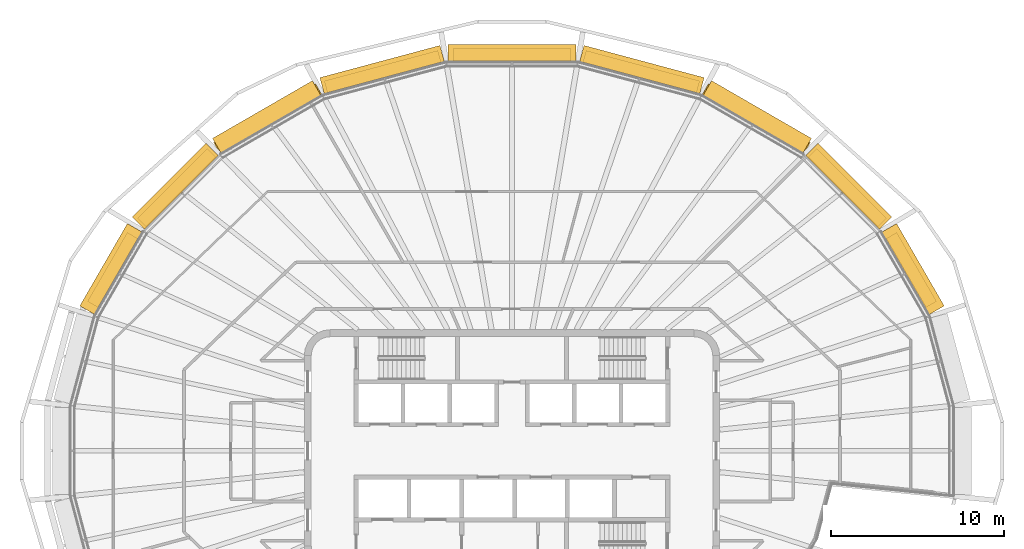
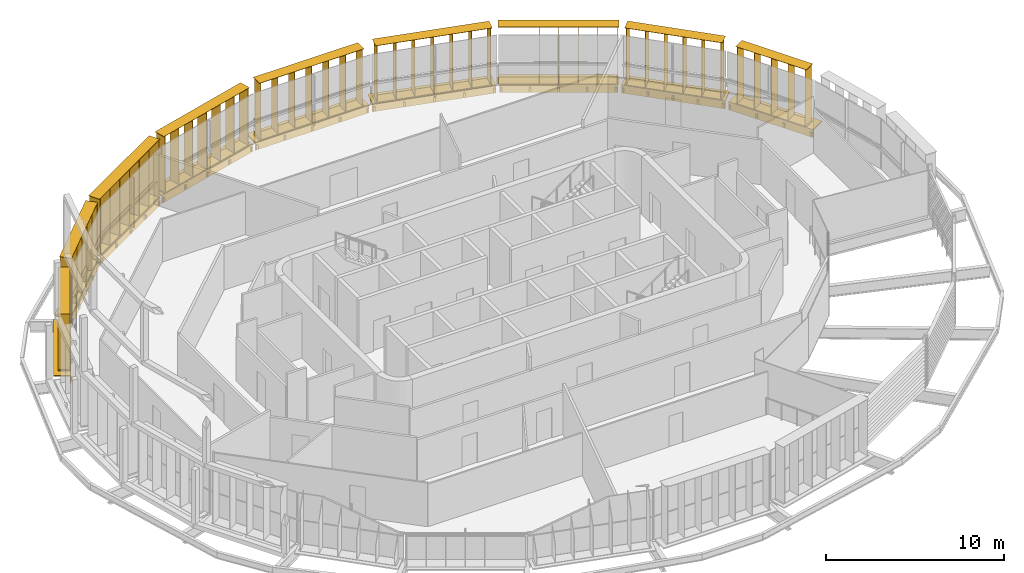
# One storey, part 18 of 18: 18 shading devices.
"""IFC4 building model written with IfcOpenShell, lengths in metres."""

from ifc_helpers import new_model, si_unit, direction, frame, origin, origin_2d, place, context, subcontext, project, spatial, rectangle, extrude, material, type_object, element, save


model = new_model("IFC4")

# Units and contexts
model_context = context("Model", 3, precision=1e-05, world=origin(), true_north=direction((0.0, 1.0)))
body_context = subcontext(model_context, "Body", "Model", "MODEL_VIEW")
ifc_project = project(units=[si_unit("LENGTHUNIT", "METRE"), si_unit("AREAUNIT", "SQUARE_METRE"), si_unit("VOLUMEUNIT", "CUBIC_METRE"), si_unit("PLANEANGLEUNIT", "RADIAN"), si_unit("MASSUNIT", "GRAM", prefix="KILO")], contexts=[model_context])

# Site, building, storey
site_placement = place(None, origin())
site = spatial("IfcSite", under=ifc_project, at=site_placement, CompositionType="ELEMENT")
building_placement = place(site_placement, origin())
building = spatial("IfcBuilding", under=site, at=building_placement, Name="Sahrelin Media Tower", CompositionType="ELEMENT")
storey_placement = place(building_placement, frame((0.0, 0.0, 312.39990234375)))
storey = spatial("IfcBuildingStorey", under=building, at=storey_placement, Name="L69", CompositionType="ELEMENT", Elevation=312.39990234375)

# Shading devices
ifc_material = material(Name="Champagne anodised aluminium 6063-T6", Category="aluminium")
shading_device_type_1 = type_object("IfcShadingDeviceType", Name="Fin cassette", PredefinedType="USERDEFINED", material=ifc_material)
placement_1 = place(storey_placement, frame((22.709228515625, 10.2431640625, 0.0), z_axis=(0.0, 0.0, 1.0), x_axis=(0.500011000363, -0.866019052629, 0.0)))
element("IfcShadingDevice", 1, at=placement_1, inside=storey, type_object=shading_device_type_1, Name="L69:FIN:L69-02", ObjectType="FIN", PredefinedType="USERDEFINED", context=body_context, shape_type="SweptSolid", body=[
    extrude(rectangle(XDim=4.60009765625, YDim=0.699951171875, at=origin_2d()), frame((0.0, 0.419921875, 0.0)), (0.0, 0.0, 1.0), 0.02001953125),
    extrude(rectangle(XDim=4.60009765625, YDim=0.699951171875, at=origin_2d()), frame((0.0, 0.419921875, 3.89990234375)), (0.0, 0.0, 1.0), 0.02001953125),
    extrude(rectangle(XDim=0.02001953125, YDim=0.699951171875, at=origin_2d()), frame((-2.199951171875, 0.419921875, 0.010009765625), z_axis=(0.0, 0.0, 1.0), x_axis=(1.0, 0.0, 0.0)), (0.0, 0.0, 1.0), 3.89990234375),
    extrude(rectangle(XDim=0.02001953125, YDim=0.699951171875, at=origin_2d()), frame((-1.10009765625, 0.419921875, 0.010009765625), z_axis=(0.0, 0.0, 1.0), x_axis=(1.0, 0.0, 0.0)), (0.0, 0.0, 1.0), 3.89990234375),
    extrude(rectangle(XDim=0.02001953125, YDim=0.699951171875, at=origin_2d()), frame((0.0, 0.419921875, 0.010009765625), z_axis=(0.0, 0.0, 1.0), x_axis=(1.0, 0.0, 0.0)), (0.0, 0.0, 1.0), 3.89990234375),
    extrude(rectangle(XDim=0.02001953125, YDim=0.699951171875, at=origin_2d()), frame((1.10009765625, 0.419921875, 0.010009765625), z_axis=(0.0, 0.0, 1.0), x_axis=(1.0, 0.0, 0.0)), (0.0, 0.0, 1.0), 3.89990234375),
    extrude(rectangle(XDim=0.02001953125, YDim=0.699951171875, at=origin_2d()), frame((2.199951171875, 0.419921875, 0.010009765625), z_axis=(0.0, 0.0, 1.0), x_axis=(1.0, 0.0, 0.0)), (0.0, 0.0, 1.0), 3.89990234375),
])
placement_2 = place(storey_placement, frame((19.08056640625, 14.914306640625, 0.0), z_axis=(0.0, 0.0, 1.0), x_axis=(0.707106781187, -0.707106781187, 0.0)))
element("IfcShadingDevice", 2, at=placement_2, inside=storey, type_object=shading_device_type_1, Name="L69:FIN:L69-03", ObjectType="FIN", PredefinedType="USERDEFINED", context=body_context, shape_type="SweptSolid", body=[
    extrude(rectangle(XDim=5.699951171875, YDim=0.699951171875, at=origin_2d()), frame((0.0, 0.419921875, 0.0)), (0.0, 0.0, 1.0), 0.02001953125),
    extrude(rectangle(XDim=5.699951171875, YDim=0.699951171875, at=origin_2d()), frame((0.0, 0.419921875, 3.89990234375)), (0.0, 0.0, 1.0), 0.02001953125),
    extrude(rectangle(XDim=0.02001953125, YDim=0.699951171875, at=origin_2d()), frame((-2.75, 0.419921875, 0.010009765625), z_axis=(0.0, 0.0, 1.0), x_axis=(1.0, 0.0, 0.0)), (0.0, 0.0, 1.0), 3.89990234375),
    extrude(rectangle(XDim=0.02001953125, YDim=0.699951171875, at=origin_2d()), frame((-1.64990234375, 0.419921875, 0.010009765625), z_axis=(0.0, 0.0, 1.0), x_axis=(1.0, 0.0, 0.0)), (0.0, 0.0, 1.0), 3.89990234375),
    extrude(rectangle(XDim=0.02001953125, YDim=0.699951171875, at=origin_2d()), frame((-0.550048828125, 0.419921875, 0.010009765625), z_axis=(0.0, 0.0, 1.0), x_axis=(1.0, 0.0, 0.0)), (0.0, 0.0, 1.0), 3.89990234375),
    extrude(rectangle(XDim=0.02001953125, YDim=0.699951171875, at=origin_2d()), frame((0.550048828125, 0.419921875, 0.010009765625), z_axis=(0.0, 0.0, 1.0), x_axis=(1.0, 0.0, 0.0)), (0.0, 0.0, 1.0), 3.89990234375),
    extrude(rectangle(XDim=0.02001953125, YDim=0.699951171875, at=origin_2d()), frame((1.64990234375, 0.419921875, 0.010009765625), z_axis=(0.0, 0.0, 1.0), x_axis=(1.0, 0.0, 0.0)), (0.0, 0.0, 1.0), 3.89990234375),
    extrude(rectangle(XDim=0.02001953125, YDim=0.699951171875, at=origin_2d()), frame((2.75, 0.419921875, 0.010009765625), z_axis=(0.0, 0.0, 1.0), x_axis=(1.0, 0.0, 0.0)), (0.0, 0.0, 1.0), 3.89990234375),
])
placement_3 = place(storey_placement, frame((13.904296875, 18.834716796875, 0.0), z_axis=(0.0, 0.0, 1.0), x_axis=(0.866019052629, -0.500011000363, 0.0)))
element("IfcShadingDevice", 3, at=placement_3, inside=storey, type_object=shading_device_type_1, Name="L69:FIN:L69-04", ObjectType="FIN", PredefinedType="USERDEFINED", context=body_context, shape_type="SweptSolid", body=[
    extrude(rectangle(XDim=6.800048828125, YDim=0.699951171875, at=origin_2d()), frame((0.0, 0.419921875, 0.0)), (0.0, 0.0, 1.0), 0.02001953125),
    extrude(rectangle(XDim=6.800048828125, YDim=0.699951171875, at=origin_2d()), frame((0.0, 0.419921875, 3.89990234375)), (0.0, 0.0, 1.0), 0.02001953125),
    extrude(rectangle(XDim=0.02001953125, YDim=0.699951171875, at=origin_2d()), frame((-3.300048828125, 0.419921875, 0.010009765625), z_axis=(0.0, 0.0, 1.0), x_axis=(1.0, 0.0, 0.0)), (0.0, 0.0, 1.0), 3.89990234375),
    extrude(rectangle(XDim=0.02001953125, YDim=0.699951171875, at=origin_2d()), frame((-2.199951171875, 0.419921875, 0.010009765625), z_axis=(0.0, 0.0, 1.0), x_axis=(1.0, 0.0, 0.0)), (0.0, 0.0, 1.0), 3.89990234375),
    extrude(rectangle(XDim=0.02001953125, YDim=0.699951171875, at=origin_2d()), frame((-1.10009765625, 0.419921875, 0.010009765625), z_axis=(0.0, 0.0, 1.0), x_axis=(1.0, 0.0, 0.0)), (0.0, 0.0, 1.0), 3.89990234375),
    extrude(rectangle(XDim=0.02001953125, YDim=0.699951171875, at=origin_2d()), frame((0.0, 0.419921875, 0.010009765625), z_axis=(0.0, 0.0, 1.0), x_axis=(1.0, 0.0, 0.0)), (0.0, 0.0, 1.0), 3.89990234375),
    extrude(rectangle(XDim=0.02001953125, YDim=0.699951171875, at=origin_2d()), frame((1.10009765625, 0.419921875, 0.010009765625), z_axis=(0.0, 0.0, 1.0), x_axis=(1.0, 0.0, 0.0)), (0.0, 0.0, 1.0), 3.89990234375),
    extrude(rectangle(XDim=0.02001953125, YDim=0.699951171875, at=origin_2d()), frame((2.199951171875, 0.419921875, 0.010009765625), z_axis=(0.0, 0.0, 1.0), x_axis=(1.0, 0.0, 0.0)), (0.0, 0.0, 1.0), 3.89990234375),
    extrude(rectangle(XDim=0.02001953125, YDim=0.699951171875, at=origin_2d()), frame((3.300048828125, 0.419921875, 0.010009765625), z_axis=(0.0, 0.0, 1.0), x_axis=(1.0, 0.0, 0.0)), (0.0, 0.0, 1.0), 3.89990234375),
])
placement_4 = place(storey_placement, frame((7.365234375, 21.506103515625, 0.0), z_axis=(0.0, 0.0, 1.0), x_axis=(0.965928857556, -0.258807731996, 0.0)))
element("IfcShadingDevice", 4, at=placement_4, inside=storey, type_object=shading_device_type_1, Name="L69:FIN:L69-05", ObjectType="FIN", PredefinedType="USERDEFINED", context=body_context, shape_type="SweptSolid", body=[
    extrude(rectangle(XDim=6.800048828125, YDim=0.699951171875, at=origin_2d()), frame((0.0, 0.419921875, 0.0)), (0.0, 0.0, 1.0), 0.02001953125),
    extrude(rectangle(XDim=6.800048828125, YDim=0.699951171875, at=origin_2d()), frame((0.0, 0.419921875, 3.89990234375)), (0.0, 0.0, 1.0), 0.02001953125),
    extrude(rectangle(XDim=0.02001953125, YDim=0.699951171875, at=origin_2d()), frame((-3.300048828125, 0.419921875, 0.010009765625), z_axis=(0.0, 0.0, 1.0), x_axis=(1.0, 0.0, 0.0)), (0.0, 0.0, 1.0), 3.89990234375),
    extrude(rectangle(XDim=0.02001953125, YDim=0.699951171875, at=origin_2d()), frame((-2.199951171875, 0.419921875, 0.010009765625), z_axis=(0.0, 0.0, 1.0), x_axis=(1.0, 0.0, 0.0)), (0.0, 0.0, 1.0), 3.89990234375),
    extrude(rectangle(XDim=0.02001953125, YDim=0.699951171875, at=origin_2d()), frame((-1.10009765625, 0.419921875, 0.010009765625), z_axis=(0.0, 0.0, 1.0), x_axis=(1.0, 0.0, 0.0)), (0.0, 0.0, 1.0), 3.89990234375),
    extrude(rectangle(XDim=0.02001953125, YDim=0.699951171875, at=origin_2d()), frame((0.0, 0.419921875, 0.010009765625), z_axis=(0.0, 0.0, 1.0), x_axis=(1.0, 0.0, 0.0)), (0.0, 0.0, 1.0), 3.89990234375),
    extrude(rectangle(XDim=0.02001953125, YDim=0.699951171875, at=origin_2d()), frame((1.10009765625, 0.419921875, 0.010009765625), z_axis=(0.0, 0.0, 1.0), x_axis=(1.0, 0.0, 0.0)), (0.0, 0.0, 1.0), 3.89990234375),
    extrude(rectangle(XDim=0.02001953125, YDim=0.699951171875, at=origin_2d()), frame((2.199951171875, 0.419921875, 0.010009765625), z_axis=(0.0, 0.0, 1.0), x_axis=(1.0, 0.0, 0.0)), (0.0, 0.0, 1.0), 3.89990234375),
    extrude(rectangle(XDim=0.02001953125, YDim=0.699951171875, at=origin_2d()), frame((3.300048828125, 0.419921875, 0.010009765625), z_axis=(0.0, 0.0, 1.0), x_axis=(1.0, 0.0, 0.0)), (0.0, 0.0, 1.0), 3.89990234375),
])
placement_5 = place(storey_placement, frame((0.0, 22.462158203125, 0.0), z_axis=(0.0, 0.0, 1.0), x_axis=(1.0, 0.0, 0.0)))
element("IfcShadingDevice", 5, at=placement_5, inside=storey, type_object=shading_device_type_1, Name="L69:FIN:L69-06", ObjectType="FIN", PredefinedType="USERDEFINED", context=body_context, shape_type="SweptSolid", body=[
    extrude(rectangle(XDim=6.800048828125, YDim=0.699951171875, at=origin_2d()), frame((0.0, 0.419921875, 0.0)), (0.0, 0.0, 1.0), 0.02001953125),
    extrude(rectangle(XDim=6.800048828125, YDim=0.699951171875, at=origin_2d()), frame((0.0, 0.419921875, 3.89990234375)), (0.0, 0.0, 1.0), 0.02001953125),
    extrude(rectangle(XDim=0.02001953125, YDim=0.699951171875, at=origin_2d()), frame((-3.300048828125, 0.419921875, 0.010009765625), z_axis=(0.0, 0.0, 1.0), x_axis=(1.0, 0.0, 0.0)), (0.0, 0.0, 1.0), 3.89990234375),
    extrude(rectangle(XDim=0.02001953125, YDim=0.699951171875, at=origin_2d()), frame((-2.199951171875, 0.419921875, 0.010009765625), z_axis=(0.0, 0.0, 1.0), x_axis=(1.0, 0.0, 0.0)), (0.0, 0.0, 1.0), 3.89990234375),
    extrude(rectangle(XDim=0.02001953125, YDim=0.699951171875, at=origin_2d()), frame((-1.10009765625, 0.419921875, 0.010009765625), z_axis=(0.0, 0.0, 1.0), x_axis=(1.0, 0.0, 0.0)), (0.0, 0.0, 1.0), 3.89990234375),
    extrude(rectangle(XDim=0.02001953125, YDim=0.699951171875, at=origin_2d()), frame((0.0, 0.419921875, 0.010009765625), z_axis=(0.0, 0.0, 1.0), x_axis=(1.0, 0.0, 0.0)), (0.0, 0.0, 1.0), 3.89990234375),
    extrude(rectangle(XDim=0.02001953125, YDim=0.699951171875, at=origin_2d()), frame((1.10009765625, 0.419921875, 0.010009765625), z_axis=(0.0, 0.0, 1.0), x_axis=(1.0, 0.0, 0.0)), (0.0, 0.0, 1.0), 3.89990234375),
    extrude(rectangle(XDim=0.02001953125, YDim=0.699951171875, at=origin_2d()), frame((2.199951171875, 0.419921875, 0.010009765625), z_axis=(0.0, 0.0, 1.0), x_axis=(1.0, 0.0, 0.0)), (0.0, 0.0, 1.0), 3.89990234375),
    extrude(rectangle(XDim=0.02001953125, YDim=0.699951171875, at=origin_2d()), frame((3.300048828125, 0.419921875, 0.010009765625), z_axis=(0.0, 0.0, 1.0), x_axis=(1.0, 0.0, 0.0)), (0.0, 0.0, 1.0), 3.89990234375),
])
placement_6 = place(storey_placement, frame((-7.364990234375, 21.506103515625, 0.0), z_axis=(0.0, 0.0, 1.0), x_axis=(0.965928857556, 0.258807731996, 0.0)))
element("IfcShadingDevice", 6, at=placement_6, inside=storey, type_object=shading_device_type_1, Name="L69:FIN:L69-07", ObjectType="FIN", PredefinedType="USERDEFINED", context=body_context, shape_type="SweptSolid", body=[
    extrude(rectangle(XDim=6.800048828125, YDim=0.699951171875, at=origin_2d()), frame((0.0, 0.419921875, 0.0)), (0.0, 0.0, 1.0), 0.02001953125),
    extrude(rectangle(XDim=6.800048828125, YDim=0.699951171875, at=origin_2d()), frame((0.0, 0.419921875, 3.89990234375)), (0.0, 0.0, 1.0), 0.02001953125),
    extrude(rectangle(XDim=0.02001953125, YDim=0.699951171875, at=origin_2d()), frame((-3.300048828125, 0.419921875, 0.010009765625), z_axis=(0.0, 0.0, 1.0), x_axis=(1.0, 0.0, 0.0)), (0.0, 0.0, 1.0), 3.89990234375),
    extrude(rectangle(XDim=0.02001953125, YDim=0.699951171875, at=origin_2d()), frame((-2.199951171875, 0.419921875, 0.010009765625), z_axis=(0.0, 0.0, 1.0), x_axis=(1.0, 0.0, 0.0)), (0.0, 0.0, 1.0), 3.89990234375),
    extrude(rectangle(XDim=0.02001953125, YDim=0.699951171875, at=origin_2d()), frame((-1.10009765625, 0.419921875, 0.010009765625), z_axis=(0.0, 0.0, 1.0), x_axis=(1.0, 0.0, 0.0)), (0.0, 0.0, 1.0), 3.89990234375),
    extrude(rectangle(XDim=0.02001953125, YDim=0.699951171875, at=origin_2d()), frame((0.0, 0.419921875, 0.010009765625), z_axis=(0.0, 0.0, 1.0), x_axis=(1.0, 0.0, 0.0)), (0.0, 0.0, 1.0), 3.89990234375),
    extrude(rectangle(XDim=0.02001953125, YDim=0.699951171875, at=origin_2d()), frame((1.10009765625, 0.419921875, 0.010009765625), z_axis=(0.0, 0.0, 1.0), x_axis=(1.0, 0.0, 0.0)), (0.0, 0.0, 1.0), 3.89990234375),
    extrude(rectangle(XDim=0.02001953125, YDim=0.699951171875, at=origin_2d()), frame((2.199951171875, 0.419921875, 0.010009765625), z_axis=(0.0, 0.0, 1.0), x_axis=(1.0, 0.0, 0.0)), (0.0, 0.0, 1.0), 3.89990234375),
    extrude(rectangle(XDim=0.02001953125, YDim=0.699951171875, at=origin_2d()), frame((3.300048828125, 0.419921875, 0.010009765625), z_axis=(0.0, 0.0, 1.0), x_axis=(1.0, 0.0, 0.0)), (0.0, 0.0, 1.0), 3.89990234375),
])
placement_7 = place(storey_placement, frame((-13.904296875, 18.834716796875, 0.0), z_axis=(0.0, 0.0, 1.0), x_axis=(0.866019052629, 0.500011000363, 0.0)))
element("IfcShadingDevice", 7, at=placement_7, inside=storey, type_object=shading_device_type_1, Name="L69:FIN:L69-08", ObjectType="FIN", PredefinedType="USERDEFINED", context=body_context, shape_type="SweptSolid", body=[
    extrude(rectangle(XDim=6.800048828125, YDim=0.699951171875, at=origin_2d()), frame((0.0, 0.419921875, 0.0)), (0.0, 0.0, 1.0), 0.02001953125),
    extrude(rectangle(XDim=6.800048828125, YDim=0.699951171875, at=origin_2d()), frame((0.0, 0.419921875, 3.89990234375)), (0.0, 0.0, 1.0), 0.02001953125),
    extrude(rectangle(XDim=0.02001953125, YDim=0.699951171875, at=origin_2d()), frame((-3.300048828125, 0.419921875, 0.010009765625), z_axis=(0.0, 0.0, 1.0), x_axis=(1.0, 0.0, 0.0)), (0.0, 0.0, 1.0), 3.89990234375),
    extrude(rectangle(XDim=0.02001953125, YDim=0.699951171875, at=origin_2d()), frame((-2.199951171875, 0.419921875, 0.010009765625), z_axis=(0.0, 0.0, 1.0), x_axis=(1.0, 0.0, 0.0)), (0.0, 0.0, 1.0), 3.89990234375),
    extrude(rectangle(XDim=0.02001953125, YDim=0.699951171875, at=origin_2d()), frame((-1.10009765625, 0.419921875, 0.010009765625), z_axis=(0.0, 0.0, 1.0), x_axis=(1.0, 0.0, 0.0)), (0.0, 0.0, 1.0), 3.89990234375),
    extrude(rectangle(XDim=0.02001953125, YDim=0.699951171875, at=origin_2d()), frame((0.0, 0.419921875, 0.010009765625), z_axis=(0.0, 0.0, 1.0), x_axis=(1.0, 0.0, 0.0)), (0.0, 0.0, 1.0), 3.89990234375),
    extrude(rectangle(XDim=0.02001953125, YDim=0.699951171875, at=origin_2d()), frame((1.10009765625, 0.419921875, 0.010009765625), z_axis=(0.0, 0.0, 1.0), x_axis=(1.0, 0.0, 0.0)), (0.0, 0.0, 1.0), 3.89990234375),
    extrude(rectangle(XDim=0.02001953125, YDim=0.699951171875, at=origin_2d()), frame((2.199951171875, 0.419921875, 0.010009765625), z_axis=(0.0, 0.0, 1.0), x_axis=(1.0, 0.0, 0.0)), (0.0, 0.0, 1.0), 3.89990234375),
    extrude(rectangle(XDim=0.02001953125, YDim=0.699951171875, at=origin_2d()), frame((3.300048828125, 0.419921875, 0.010009765625), z_axis=(0.0, 0.0, 1.0), x_axis=(1.0, 0.0, 0.0)), (0.0, 0.0, 1.0), 3.89990234375),
])
placement_8 = place(storey_placement, frame((-19.08056640625, 14.914306640625, 0.0), z_axis=(0.0, 0.0, 1.0), x_axis=(0.707106781187, 0.707106781187, 0.0)))
element("IfcShadingDevice", 8, at=placement_8, inside=storey, type_object=shading_device_type_1, Name="L69:FIN:L69-09", ObjectType="FIN", PredefinedType="USERDEFINED", context=body_context, shape_type="SweptSolid", body=[
    extrude(rectangle(XDim=5.699951171875, YDim=0.699951171875, at=origin_2d()), frame((0.0, 0.419921875, 0.0)), (0.0, 0.0, 1.0), 0.02001953125),
    extrude(rectangle(XDim=5.699951171875, YDim=0.699951171875, at=origin_2d()), frame((0.0, 0.419921875, 3.89990234375)), (0.0, 0.0, 1.0), 0.02001953125),
    extrude(rectangle(XDim=0.02001953125, YDim=0.699951171875, at=origin_2d()), frame((-2.75, 0.419921875, 0.010009765625), z_axis=(0.0, 0.0, 1.0), x_axis=(1.0, 0.0, 0.0)), (0.0, 0.0, 1.0), 3.89990234375),
    extrude(rectangle(XDim=0.02001953125, YDim=0.699951171875, at=origin_2d()), frame((-1.64990234375, 0.419921875, 0.010009765625), z_axis=(0.0, 0.0, 1.0), x_axis=(1.0, 0.0, 0.0)), (0.0, 0.0, 1.0), 3.89990234375),
    extrude(rectangle(XDim=0.02001953125, YDim=0.699951171875, at=origin_2d()), frame((-0.550048828125, 0.419921875, 0.010009765625), z_axis=(0.0, 0.0, 1.0), x_axis=(1.0, 0.0, 0.0)), (0.0, 0.0, 1.0), 3.89990234375),
    extrude(rectangle(XDim=0.02001953125, YDim=0.699951171875, at=origin_2d()), frame((0.550048828125, 0.419921875, 0.010009765625), z_axis=(0.0, 0.0, 1.0), x_axis=(1.0, 0.0, 0.0)), (0.0, 0.0, 1.0), 3.89990234375),
    extrude(rectangle(XDim=0.02001953125, YDim=0.699951171875, at=origin_2d()), frame((1.64990234375, 0.419921875, 0.010009765625), z_axis=(0.0, 0.0, 1.0), x_axis=(1.0, 0.0, 0.0)), (0.0, 0.0, 1.0), 3.89990234375),
    extrude(rectangle(XDim=0.02001953125, YDim=0.699951171875, at=origin_2d()), frame((2.75, 0.419921875, 0.010009765625), z_axis=(0.0, 0.0, 1.0), x_axis=(1.0, 0.0, 0.0)), (0.0, 0.0, 1.0), 3.89990234375),
])
placement_9 = place(storey_placement, frame((-22.709228515625, 10.2431640625, 0.0), z_axis=(0.0, 0.0, 1.0), x_axis=(0.500011000363, 0.866019052629, 0.0)))
element("IfcShadingDevice", 9, at=placement_9, inside=storey, type_object=shading_device_type_1, Name="L69:FIN:L69-10", ObjectType="FIN", PredefinedType="USERDEFINED", context=body_context, shape_type="SweptSolid", body=[
    extrude(rectangle(XDim=4.60009765625, YDim=0.699951171875, at=origin_2d()), frame((0.0, 0.419921875, 0.0)), (0.0, 0.0, 1.0), 0.02001953125),
    extrude(rectangle(XDim=4.60009765625, YDim=0.699951171875, at=origin_2d()), frame((0.0, 0.419921875, 3.89990234375)), (0.0, 0.0, 1.0), 0.02001953125),
    extrude(rectangle(XDim=0.02001953125, YDim=0.699951171875, at=origin_2d()), frame((-2.199951171875, 0.419921875, 0.010009765625), z_axis=(0.0, 0.0, 1.0), x_axis=(1.0, 0.0, 0.0)), (0.0, 0.0, 1.0), 3.89990234375),
    extrude(rectangle(XDim=0.02001953125, YDim=0.699951171875, at=origin_2d()), frame((-1.10009765625, 0.419921875, 0.010009765625), z_axis=(0.0, 0.0, 1.0), x_axis=(1.0, 0.0, 0.0)), (0.0, 0.0, 1.0), 3.89990234375),
    extrude(rectangle(XDim=0.02001953125, YDim=0.699951171875, at=origin_2d()), frame((0.0, 0.419921875, 0.010009765625), z_axis=(0.0, 0.0, 1.0), x_axis=(1.0, 0.0, 0.0)), (0.0, 0.0, 1.0), 3.89990234375),
    extrude(rectangle(XDim=0.02001953125, YDim=0.699951171875, at=origin_2d()), frame((1.10009765625, 0.419921875, 0.010009765625), z_axis=(0.0, 0.0, 1.0), x_axis=(1.0, 0.0, 0.0)), (0.0, 0.0, 1.0), 3.89990234375),
    extrude(rectangle(XDim=0.02001953125, YDim=0.699951171875, at=origin_2d()), frame((2.199951171875, 0.419921875, 0.010009765625), z_axis=(0.0, 0.0, 1.0), x_axis=(1.0, 0.0, 0.0)), (0.0, 0.0, 1.0), 3.89990234375),
])
shading_device_type_2 = type_object("IfcShadingDeviceType", Name="Sunshade band", PredefinedType="USERDEFINED", material=ifc_material)
element("IfcShadingDevice", 10, at=placement_1, inside=storey, type_object=shading_device_type_2, Name="L69:SUN:L69-02", ObjectType="SUNSHADE", PredefinedType="USERDEFINED", context=body_context, shape_type="SweptSolid", body=[
    extrude(rectangle(XDim=5.49560546875, YDim=0.050048828125, at=origin_2d()), frame((0.0, 0.044921875, -0.55126953125)), (0.0, 0.0, 1.0), 0.471435546875),
    extrude(rectangle(XDim=5.49560546875, YDim=1.0, at=origin_2d()), frame((0.0, 0.52001953125, -0.080078125)), (0.0, 0.0, 1.0), 0.080078125),
    extrude(rectangle(XDim=0.10009765625, YDim=0.074951171875, at=origin_2d()), frame((-2.647705078125, -0.017578125, -0.47021484375)), (0.0, 0.0, 1.0), 0.300048828125),
    extrude(rectangle(XDim=0.10009765625, YDim=0.074951171875, at=origin_2d()), frame((-0.882568359375, -0.017578125, -0.47021484375)), (0.0, 0.0, 1.0), 0.300048828125),
    extrude(rectangle(XDim=0.10009765625, YDim=0.074951171875, at=origin_2d()), frame((0.882568359375, -0.017578125, -0.47021484375)), (0.0, 0.0, 1.0), 0.300048828125),
    extrude(rectangle(XDim=0.10009765625, YDim=0.074951171875, at=origin_2d()), frame((2.647705078125, -0.017578125, -0.47021484375)), (0.0, 0.0, 1.0), 0.300048828125),
])
element("IfcShadingDevice", 11, at=placement_2, inside=storey, type_object=shading_device_type_2, Name="L69:SUN:L69-03", ObjectType="SUNSHADE", PredefinedType="USERDEFINED", context=body_context, shape_type="SweptSolid", body=[
    extrude(rectangle(XDim=6.035888671875, YDim=0.050048828125, at=origin_2d()), frame((0.0, 0.044921875, -0.55126953125)), (0.0, 0.0, 1.0), 0.471435546875),
    extrude(rectangle(XDim=6.035888671875, YDim=1.0, at=origin_2d()), frame((0.0, 0.52001953125, -0.080078125)), (0.0, 0.0, 1.0), 0.080078125),
    extrude(rectangle(XDim=0.10009765625, YDim=0.074951171875, at=origin_2d()), frame((-2.91796875, -0.017578125, -0.47021484375)), (0.0, 0.0, 1.0), 0.300048828125),
    extrude(rectangle(XDim=0.10009765625, YDim=0.074951171875, at=origin_2d()), frame((-1.458984375, -0.017578125, -0.47021484375)), (0.0, 0.0, 1.0), 0.300048828125),
    extrude(rectangle(XDim=0.10009765625, YDim=0.074951171875, at=origin_2d()), frame((0.0, -0.017578125, -0.47021484375)), (0.0, 0.0, 1.0), 0.300048828125),
    extrude(rectangle(XDim=0.10009765625, YDim=0.074951171875, at=origin_2d()), frame((1.458984375, -0.017578125, -0.47021484375)), (0.0, 0.0, 1.0), 0.300048828125),
    extrude(rectangle(XDim=0.10009765625, YDim=0.074951171875, at=origin_2d()), frame((2.91796875, -0.017578125, -0.47021484375)), (0.0, 0.0, 1.0), 0.300048828125),
])
element("IfcShadingDevice", 12, at=placement_3, inside=storey, type_object=shading_device_type_2, Name="L69:SUN:L69-04", ObjectType="SUNSHADE", PredefinedType="USERDEFINED", context=body_context, shape_type="SweptSolid", body=[
    extrude(rectangle(XDim=6.66259765625, YDim=0.050048828125, at=origin_2d()), frame((0.0, 0.044921875, -0.55126953125)), (0.0, 0.0, 1.0), 0.471435546875),
    extrude(rectangle(XDim=6.66259765625, YDim=1.0, at=origin_2d()), frame((0.0, 0.52001953125, -0.080078125)), (0.0, 0.0, 1.0), 0.080078125),
    extrude(rectangle(XDim=0.10009765625, YDim=0.074951171875, at=origin_2d()), frame((-3.231201171875, -0.017578125, -0.47021484375)), (0.0, 0.0, 1.0), 0.300048828125),
    extrude(rectangle(XDim=0.10009765625, YDim=0.074951171875, at=origin_2d()), frame((-1.615478515625, -0.017578125, -0.47021484375)), (0.0, 0.0, 1.0), 0.300048828125),
    extrude(rectangle(XDim=0.10009765625, YDim=0.074951171875, at=origin_2d()), frame((0.0, -0.017578125, -0.47021484375)), (0.0, 0.0, 1.0), 0.300048828125),
    extrude(rectangle(XDim=0.10009765625, YDim=0.074951171875, at=origin_2d()), frame((1.615478515625, -0.017578125, -0.47021484375)), (0.0, 0.0, 1.0), 0.300048828125),
    extrude(rectangle(XDim=0.10009765625, YDim=0.074951171875, at=origin_2d()), frame((3.231201171875, -0.017578125, -0.47021484375)), (0.0, 0.0, 1.0), 0.300048828125),
])
element("IfcShadingDevice", 13, at=placement_4, inside=storey, type_object=shading_device_type_2, Name="L69:SUN:L69-05", ObjectType="SUNSHADE", PredefinedType="USERDEFINED", context=body_context, shape_type="SweptSolid", body=[
    extrude(rectangle(XDim=7.18701171875, YDim=0.050048828125, at=origin_2d()), frame((0.0, 0.044921875, -0.55126953125)), (0.0, 0.0, 1.0), 0.471435546875),
    extrude(rectangle(XDim=7.18701171875, YDim=1.0, at=origin_2d()), frame((0.0, 0.52001953125, -0.080078125)), (0.0, 0.0, 1.0), 0.080078125),
    extrude(rectangle(XDim=0.10009765625, YDim=0.074951171875, at=origin_2d()), frame((-3.493408203125, -0.017578125, -0.47021484375)), (0.0, 0.0, 1.0), 0.300048828125),
    extrude(rectangle(XDim=0.10009765625, YDim=0.074951171875, at=origin_2d()), frame((-1.746826171875, -0.017578125, -0.47021484375)), (0.0, 0.0, 1.0), 0.300048828125),
    extrude(rectangle(XDim=0.10009765625, YDim=0.074951171875, at=origin_2d()), frame((0.0, -0.017578125, -0.47021484375)), (0.0, 0.0, 1.0), 0.300048828125),
    extrude(rectangle(XDim=0.10009765625, YDim=0.074951171875, at=origin_2d()), frame((1.746826171875, -0.017578125, -0.47021484375)), (0.0, 0.0, 1.0), 0.300048828125),
    extrude(rectangle(XDim=0.10009765625, YDim=0.074951171875, at=origin_2d()), frame((3.493408203125, -0.017578125, -0.47021484375)), (0.0, 0.0, 1.0), 0.300048828125),
])
element("IfcShadingDevice", 14, at=placement_5, inside=storey, type_object=shading_device_type_2, Name="L69:SUN:L69-06", ObjectType="SUNSHADE", PredefinedType="USERDEFINED", context=body_context, shape_type="SweptSolid", body=[
    extrude(rectangle(XDim=7.39501953125, YDim=0.050048828125, at=origin_2d()), frame((0.0, 0.044921875, -0.55126953125)), (0.0, 0.0, 1.0), 0.471435546875),
    extrude(rectangle(XDim=7.39501953125, YDim=1.0, at=origin_2d()), frame((0.0, 0.52001953125, -0.080078125)), (0.0, 0.0, 1.0), 0.080078125),
    extrude(rectangle(XDim=0.10009765625, YDim=0.074951171875, at=origin_2d()), frame((-3.597412109375, -0.017578125, -0.47021484375)), (0.0, 0.0, 1.0), 0.300048828125),
    extrude(rectangle(XDim=0.10009765625, YDim=0.074951171875, at=origin_2d()), frame((-1.798828125, -0.017578125, -0.47021484375)), (0.0, 0.0, 1.0), 0.300048828125),
    extrude(rectangle(XDim=0.10009765625, YDim=0.074951171875, at=origin_2d()), frame((0.0, -0.017578125, -0.47021484375)), (0.0, 0.0, 1.0), 0.300048828125),
    extrude(rectangle(XDim=0.10009765625, YDim=0.074951171875, at=origin_2d()), frame((1.798828125, -0.017578125, -0.47021484375)), (0.0, 0.0, 1.0), 0.300048828125),
    extrude(rectangle(XDim=0.10009765625, YDim=0.074951171875, at=origin_2d()), frame((3.597412109375, -0.017578125, -0.47021484375)), (0.0, 0.0, 1.0), 0.300048828125),
])
element("IfcShadingDevice", 15, at=placement_6, inside=storey, type_object=shading_device_type_2, Name="L69:SUN:L69-07", ObjectType="SUNSHADE", PredefinedType="USERDEFINED", context=body_context, shape_type="SweptSolid", body=[
    extrude(rectangle(XDim=7.18701171875, YDim=0.050048828125, at=origin_2d()), frame((0.0, 0.044921875, -0.55126953125)), (0.0, 0.0, 1.0), 0.471435546875),
    extrude(rectangle(XDim=7.18701171875, YDim=1.0, at=origin_2d()), frame((0.0, 0.52001953125, -0.080078125)), (0.0, 0.0, 1.0), 0.080078125),
    extrude(rectangle(XDim=0.10009765625, YDim=0.074951171875, at=origin_2d()), frame((-3.493408203125, -0.017578125, -0.47021484375)), (0.0, 0.0, 1.0), 0.300048828125),
    extrude(rectangle(XDim=0.10009765625, YDim=0.074951171875, at=origin_2d()), frame((-1.746826171875, -0.017578125, -0.47021484375)), (0.0, 0.0, 1.0), 0.300048828125),
    extrude(rectangle(XDim=0.10009765625, YDim=0.074951171875, at=origin_2d()), frame((0.0, -0.017578125, -0.47021484375)), (0.0, 0.0, 1.0), 0.300048828125),
    extrude(rectangle(XDim=0.10009765625, YDim=0.074951171875, at=origin_2d()), frame((1.746826171875, -0.017578125, -0.47021484375)), (0.0, 0.0, 1.0), 0.300048828125),
    extrude(rectangle(XDim=0.10009765625, YDim=0.074951171875, at=origin_2d()), frame((3.493408203125, -0.017578125, -0.47021484375)), (0.0, 0.0, 1.0), 0.300048828125),
])
element("IfcShadingDevice", 16, at=placement_7, inside=storey, type_object=shading_device_type_2, Name="L69:SUN:L69-08", ObjectType="SUNSHADE", PredefinedType="USERDEFINED", context=body_context, shape_type="SweptSolid", body=[
    extrude(rectangle(XDim=6.66259765625, YDim=0.050048828125, at=origin_2d()), frame((0.0, 0.044921875, -0.55126953125)), (0.0, 0.0, 1.0), 0.471435546875),
    extrude(rectangle(XDim=6.66259765625, YDim=1.0, at=origin_2d()), frame((0.0, 0.52001953125, -0.080078125)), (0.0, 0.0, 1.0), 0.080078125),
    extrude(rectangle(XDim=0.10009765625, YDim=0.074951171875, at=origin_2d()), frame((-3.231201171875, -0.017578125, -0.47021484375)), (0.0, 0.0, 1.0), 0.300048828125),
    extrude(rectangle(XDim=0.10009765625, YDim=0.074951171875, at=origin_2d()), frame((-1.615478515625, -0.017578125, -0.47021484375)), (0.0, 0.0, 1.0), 0.300048828125),
    extrude(rectangle(XDim=0.10009765625, YDim=0.074951171875, at=origin_2d()), frame((0.0, -0.017578125, -0.47021484375)), (0.0, 0.0, 1.0), 0.300048828125),
    extrude(rectangle(XDim=0.10009765625, YDim=0.074951171875, at=origin_2d()), frame((1.615478515625, -0.017578125, -0.47021484375)), (0.0, 0.0, 1.0), 0.300048828125),
    extrude(rectangle(XDim=0.10009765625, YDim=0.074951171875, at=origin_2d()), frame((3.231201171875, -0.017578125, -0.47021484375)), (0.0, 0.0, 1.0), 0.300048828125),
])
element("IfcShadingDevice", 17, at=placement_8, inside=storey, type_object=shading_device_type_2, Name="L69:SUN:L69-09", ObjectType="SUNSHADE", PredefinedType="USERDEFINED", context=body_context, shape_type="SweptSolid", body=[
    extrude(rectangle(XDim=6.035888671875, YDim=0.050048828125, at=origin_2d()), frame((0.0, 0.044921875, -0.55126953125)), (0.0, 0.0, 1.0), 0.471435546875),
    extrude(rectangle(XDim=6.035888671875, YDim=1.0, at=origin_2d()), frame((0.0, 0.52001953125, -0.080078125)), (0.0, 0.0, 1.0), 0.080078125),
    extrude(rectangle(XDim=0.10009765625, YDim=0.074951171875, at=origin_2d()), frame((-2.91796875, -0.017578125, -0.47021484375)), (0.0, 0.0, 1.0), 0.300048828125),
    extrude(rectangle(XDim=0.10009765625, YDim=0.074951171875, at=origin_2d()), frame((-1.458984375, -0.017578125, -0.47021484375)), (0.0, 0.0, 1.0), 0.300048828125),
    extrude(rectangle(XDim=0.10009765625, YDim=0.074951171875, at=origin_2d()), frame((0.0, -0.017578125, -0.47021484375)), (0.0, 0.0, 1.0), 0.300048828125),
    extrude(rectangle(XDim=0.10009765625, YDim=0.074951171875, at=origin_2d()), frame((1.458984375, -0.017578125, -0.47021484375)), (0.0, 0.0, 1.0), 0.300048828125),
    extrude(rectangle(XDim=0.10009765625, YDim=0.074951171875, at=origin_2d()), frame((2.91796875, -0.017578125, -0.47021484375)), (0.0, 0.0, 1.0), 0.300048828125),
])
element("IfcShadingDevice", 18, at=placement_9, inside=storey, type_object=shading_device_type_2, Name="L69:SUN:L69-10", ObjectType="SUNSHADE", PredefinedType="USERDEFINED", context=body_context, shape_type="SweptSolid", body=[
    extrude(rectangle(XDim=5.49560546875, YDim=0.050048828125, at=origin_2d()), frame((0.0, 0.044921875, -0.55126953125)), (0.0, 0.0, 1.0), 0.471435546875),
    extrude(rectangle(XDim=5.49560546875, YDim=1.0, at=origin_2d()), frame((0.0, 0.52001953125, -0.080078125)), (0.0, 0.0, 1.0), 0.080078125),
    extrude(rectangle(XDim=0.10009765625, YDim=0.074951171875, at=origin_2d()), frame((-2.647705078125, -0.017578125, -0.47021484375)), (0.0, 0.0, 1.0), 0.300048828125),
    extrude(rectangle(XDim=0.10009765625, YDim=0.074951171875, at=origin_2d()), frame((-0.882568359375, -0.017578125, -0.47021484375)), (0.0, 0.0, 1.0), 0.300048828125),
    extrude(rectangle(XDim=0.10009765625, YDim=0.074951171875, at=origin_2d()), frame((0.882568359375, -0.017578125, -0.47021484375)), (0.0, 0.0, 1.0), 0.300048828125),
    extrude(rectangle(XDim=0.10009765625, YDim=0.074951171875, at=origin_2d()), frame((2.647705078125, -0.017578125, -0.47021484375)), (0.0, 0.0, 1.0), 0.300048828125),
])

save(model, "model.ifc")
